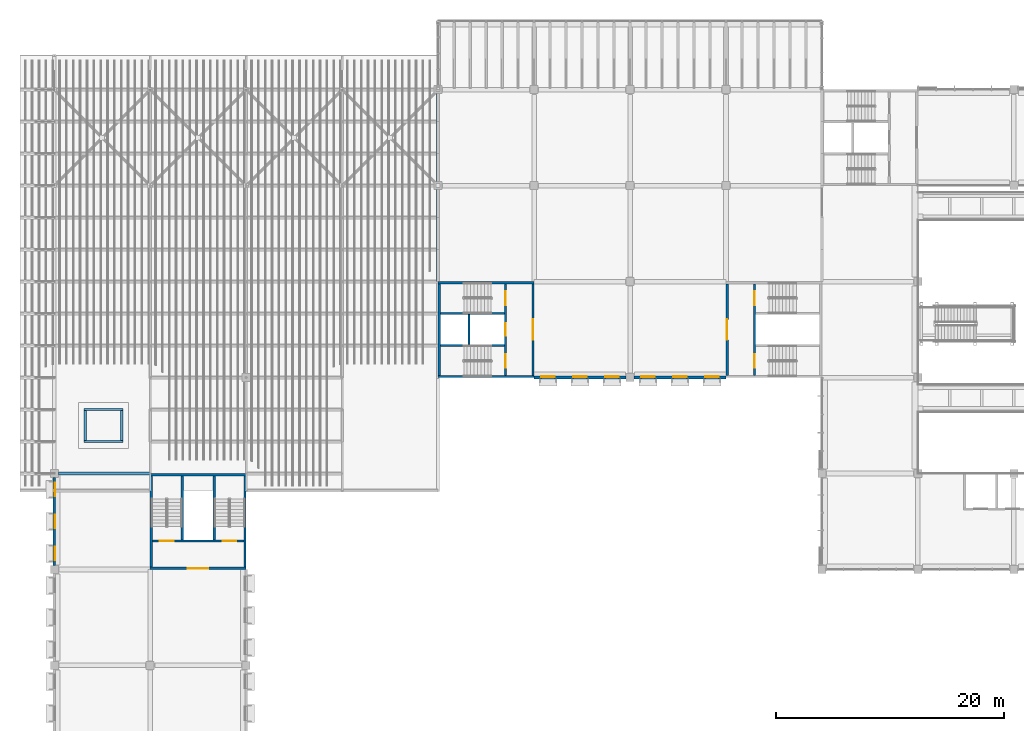
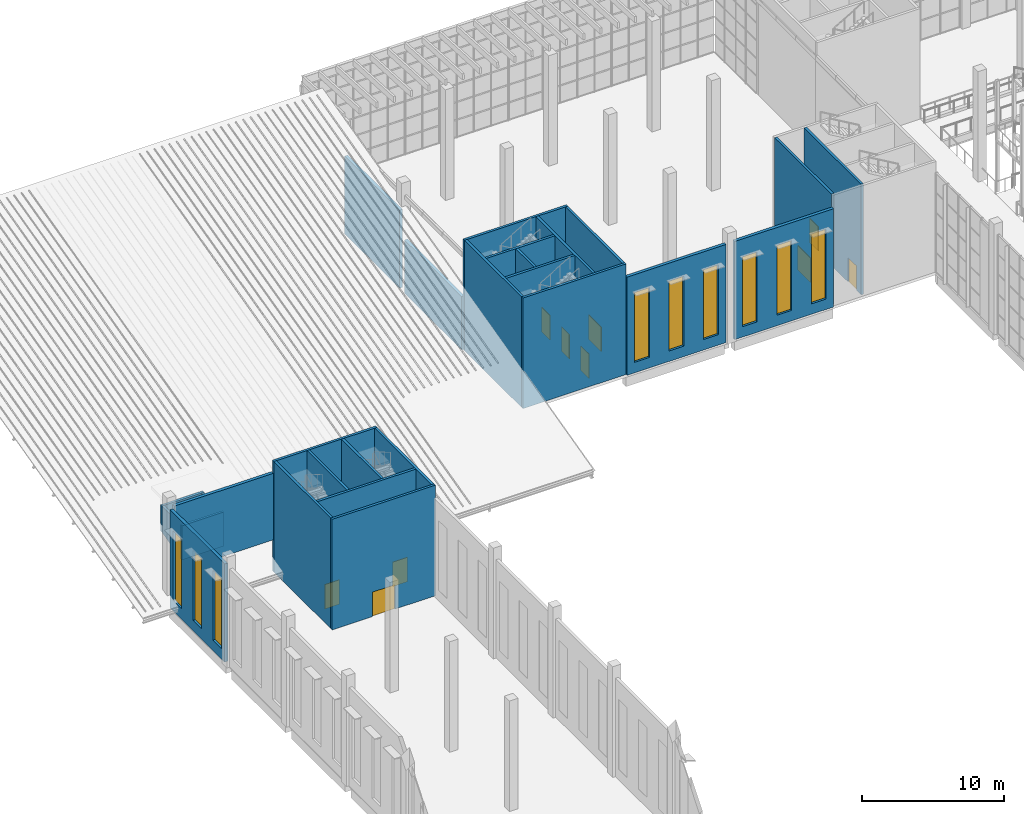
# One storey, part 46 of 114: 27 walls, 10 doors, 9 windows, 19 openings.
"""IFC4 building model written with IfcOpenShell, lengths in metres."""

from ifc_helpers import new_model, si_unit, direction, frame, frame_2d, origin, place, context, subcontext, project, spatial, polyline, rectangle, outline, extrude, material, layer, layer_set, type_object, element, fill, save


model = new_model("IFC4")

# Units and contexts
model_context = context("Model", 3, precision=1e-05, world=origin(), true_north=direction((0.0, 1.0)))
body_context = subcontext(model_context, "Body", "Model", "MODEL_VIEW")
ifc_project = project(units=[si_unit("LENGTHUNIT", "METRE"), si_unit("AREAUNIT", "SQUARE_METRE"), si_unit("VOLUMEUNIT", "CUBIC_METRE"), si_unit("PLANEANGLEUNIT", "RADIAN"), si_unit("MASSUNIT", "GRAM", prefix="KILO")], contexts=[model_context])

# Site, building, storey
site_placement = place(None, origin())
site = spatial("IfcSite", under=ifc_project, at=site_placement, CompositionType="ELEMENT")
building_placement = place(site_placement, origin())
building = spatial("IfcBuilding", under=site, at=building_placement, Name="Almond Square Museum", CompositionType="ELEMENT")
storey_placement = place(building_placement, frame((0.0, 0.0, 10.5)))
storey = spatial("IfcBuildingStorey", under=building, at=storey_placement, Name="L02", CompositionType="ELEMENT", Elevation=10.5)

# Wall
ifc_material_1 = material(Name="Precast concrete C40/50", Category="concrete")
ifc_layer_1 = layer(ifc_material_1, 0.25)
ifc_layer_set_1 = layer_set([ifc_layer_1], Name="Precast concrete C40/50")
wall_type_1 = type_object("IfcWallType", Name="Precast concrete panel wall 250 with coral limestone piers", PredefinedType="SOLIDWALL", material=ifc_layer_set_1)
wall_1_placement = place(storey_placement, frame((6.35009765625, 75.60009765625, 2.72509765625), z_axis=(0.0, 0.0, 1.0), x_axis=(1.0, 0.0, 0.0)))
element("IfcWall", 1, at=wall_1_placement, inside=storey, type_object=wall_type_1, Name="External wall W2 V4W L02 N01", PredefinedType="SOLIDWALL", context=body_context, shape_type="SweptSolid", body=[
    extrude(rectangle(XDim=8.0498046875, YDim=0.25, at=frame_2d((4.02490234375, 0.0))), origin(), (0.0, 0.0, 1.0), 5.71484375),
])

# Wall, openings, windows
wall_2_placement = place(storey_placement, frame((6.0, 67.550048828125, 0.0), z_axis=(0.0, 0.0, 1.0), x_axis=(0.0, 1.0, 0.0)))
wall_2 = element("IfcWall", 2, at=wall_2_placement, inside=storey, type_object=wall_type_1, Name="External wall W2 V4W L02 W01", PredefinedType="SOLIDWALL", context=body_context, shape_type="SweptSolid", body=[
    extrude(rectangle(XDim=7.699951171875, YDim=0.25, at=frame_2d((3.85009765625, 0.0))), origin(), (0.0, 0.0, 1.0), 8.43994140625),
])
opening_1_placement = place(wall_2_placement, frame((0.449951171875, 0.0, 0.89990234375)))
opening_1 = element("IfcOpeningElement", 3, at=opening_1_placement, cuts=wall_2, Name="Opening W2053", PredefinedType="OPENING", context=body_context, shape_type="SweptSolid", body=[
    extrude(rectangle(XDim=1.199951171875, YDim=6.0, at=frame_2d((0.60009765625, 3.0))), frame((0.0, 0.135009765625, 0.0), z_axis=(0.0, -1.0, 0.0), x_axis=(1.0, 0.0, 0.0)), (0.0, 0.0, 1.0), 0.27001953125),
])
opening_2_placement = place(wall_2_placement, frame((3.25, 0.0, 0.89990234375)))
opening_2 = element("IfcOpeningElement", 4, at=opening_2_placement, cuts=wall_2, Name="Opening W2054", PredefinedType="OPENING", context=body_context, shape_type="SweptSolid", body=[
    extrude(rectangle(XDim=1.199951171875, YDim=6.0, at=frame_2d((0.60009765625, 3.0))), frame((0.0, 0.135009765625, 0.0), z_axis=(0.0, -1.0, 0.0), x_axis=(1.0, 0.0, 0.0)), (0.0, 0.0, 1.0), 0.27001953125),
])
opening_3_placement = place(wall_2_placement, frame((6.050048828125, 0.0, 0.89990234375)))
opening_3 = element("IfcOpeningElement", 5, at=opening_3_placement, cuts=wall_2, Name="Opening W2055", PredefinedType="OPENING", context=body_context, shape_type="SweptSolid", body=[
    extrude(rectangle(XDim=1.199951171875, YDim=6.0, at=frame_2d((0.60009765625, 3.0))), frame((0.0, 0.135009765625, 0.0), z_axis=(0.0, -1.0, 0.0), x_axis=(1.0, 0.0, 0.0)), (0.0, 0.0, 1.0), 0.27001953125),
])
ifc_material_2 = material(Name="Anodised aluminium louvre and laminated glass", Category="aluminium")
window_type = type_object("IfcWindowType", Name="Tall louvred pier window", PartitioningType="SINGLE_PANEL", PredefinedType="WINDOW", material=ifc_material_2)
window_1_placement = place(opening_1_placement, origin())
window_1 = element("IfcWindow", 6, at=window_1_placement, inside=storey, type_object=window_type, Name="Tall louvred pier window W2053", OverallHeight=6.0, OverallWidth=1.199951171875, PartitioningType="SINGLE_PANEL", PredefinedType="WINDOW", context=body_context, shape_type="SweptSolid", body=[
    extrude(rectangle(XDim=1.199951171875, YDim=6.0, at=frame_2d((0.60009765625, 3.0))), frame((0.0, -0.044921875, 0.0), z_axis=(0.0, -1.0, 0.0), x_axis=(1.0, 0.0, 0.0)), (0.0, 0.0, 1.0), 0.06005859375),
])
fill(opening_1, window_1)
window_2_placement = place(opening_2_placement, origin())
window_2 = element("IfcWindow", 7, at=window_2_placement, inside=storey, type_object=window_type, Name="Tall louvred pier window W2054", OverallHeight=6.0, OverallWidth=1.199951171875, PartitioningType="SINGLE_PANEL", PredefinedType="WINDOW", context=body_context, shape_type="SweptSolid", body=[
    extrude(rectangle(XDim=1.199951171875, YDim=6.0, at=frame_2d((0.60009765625, 3.0))), frame((0.0, -0.044921875, 0.0), z_axis=(0.0, -1.0, 0.0), x_axis=(1.0, 0.0, 0.0)), (0.0, 0.0, 1.0), 0.06005859375),
])
fill(opening_2, window_2)
window_3_placement = place(opening_3_placement, origin())
window_3 = element("IfcWindow", 8, at=window_3_placement, inside=storey, type_object=window_type, Name="Tall louvred pier window W2055", OverallHeight=6.0, OverallWidth=1.199951171875, PartitioningType="SINGLE_PANEL", PredefinedType="WINDOW", context=body_context, shape_type="SweptSolid", body=[
    extrude(rectangle(XDim=1.199951171875, YDim=6.0, at=frame_2d((0.60009765625, 3.0))), frame((0.0, -0.044921875, 0.0), z_axis=(0.0, -1.0, 0.0), x_axis=(1.0, 0.0, 0.0)), (0.0, 0.0, 1.0), 0.06005859375),
])
fill(opening_3, window_3)

# Walls
wall_3_placement = place(storey_placement, frame((39.60009765625, 101.14990234375, 0.0), z_axis=(0.0, 0.0, 1.0), x_axis=(0.0, 1.0, 0.0)))
element("IfcWall", 9, at=wall_3_placement, inside=storey, type_object=wall_type_1, Name="External wall W2 V4N L02 W02", PredefinedType="SOLIDWALL", context=body_context, shape_type="SweptSolid", body=[
    extrude(rectangle(XDim=7.7001953125, YDim=0.25, at=frame_2d((3.85009765625, 0.0))), origin(), (0.0, 0.0, 1.0), 6.696044921875),
])
wall_4_placement = place(storey_placement, frame((39.60009765625, 92.39990234375, 0.0), z_axis=(0.0, 0.0, 1.0), x_axis=(0.0, 1.0, 0.0)))
element("IfcWall", 10, at=wall_4_placement, inside=storey, type_object=wall_type_1, Name="External wall W2 V4N L02 W03", PredefinedType="SOLIDWALL", context=body_context, shape_type="SweptSolid", body=[
    extrude(rectangle(XDim=8.050048828125, YDim=0.25, at=frame_2d((4.02490234375, 0.0))), origin(), (0.0, 0.0, 1.0), 4.571044921875),
])

# Wall, openings, windows
wall_5_placement = place(storey_placement, frame((48.0, 84.0, 0.0), z_axis=(0.0, 0.0, 1.0), x_axis=(1.0, 0.0, 0.0)))
wall_5 = element("IfcWall", 11, at=wall_5_placement, inside=storey, type_object=wall_type_1, Name="External wall W2 V4N L02 S01", PredefinedType="SOLIDWALL", context=body_context, shape_type="SweptSolid", body=[
    extrude(rectangle(XDim=8.050048828125, YDim=0.25, at=frame_2d((4.02490234375, 0.0))), origin(), (0.0, 0.0, 1.0), 8.43994140625),
])
opening_4_placement = place(wall_5_placement, frame((0.625, 0.0, 0.89990234375)))
opening_4 = element("IfcOpeningElement", 12, at=opening_4_placement, cuts=wall_5, Name="Opening W2109", PredefinedType="OPENING", context=body_context, shape_type="SweptSolid", body=[
    extrude(rectangle(XDim=1.199951171875, YDim=6.0, at=frame_2d((0.60009765625, 3.0))), frame((0.0, 0.135009765625, 0.0), z_axis=(0.0, -1.0, 0.0), x_axis=(1.0, 0.0, 0.0)), (0.0, 0.0, 1.0), 0.27001953125),
])
opening_5_placement = place(wall_5_placement, frame((3.425048828125, 0.0, 0.89990234375)))
opening_5 = element("IfcOpeningElement", 13, at=opening_5_placement, cuts=wall_5, Name="Opening W2110", PredefinedType="OPENING", context=body_context, shape_type="SweptSolid", body=[
    extrude(rectangle(XDim=1.199951171875, YDim=6.0, at=frame_2d((0.60009765625, 3.0))), frame((0.0, 0.135009765625, 0.0), z_axis=(0.0, -1.0, 0.0), x_axis=(1.0, 0.0, 0.0)), (0.0, 0.0, 1.0), 0.27001953125),
])
opening_6_placement = place(wall_5_placement, frame((6.22509765625, 0.0, 0.89990234375)))
opening_6 = element("IfcOpeningElement", 14, at=opening_6_placement, cuts=wall_5, Name="Opening W2111", PredefinedType="OPENING", context=body_context, shape_type="SweptSolid", body=[
    extrude(rectangle(XDim=1.199951171875, YDim=6.0, at=frame_2d((0.60009765625, 3.0))), frame((0.0, 0.135009765625, 0.0), z_axis=(0.0, -1.0, 0.0), x_axis=(1.0, 0.0, 0.0)), (0.0, 0.0, 1.0), 0.27001953125),
])
window_4_placement = place(opening_4_placement, origin())
window_4 = element("IfcWindow", 15, at=window_4_placement, inside=storey, type_object=window_type, Name="Tall louvred pier window W2109", OverallHeight=6.0, OverallWidth=1.199951171875, PartitioningType="SINGLE_PANEL", PredefinedType="WINDOW", context=body_context, shape_type="SweptSolid", body=[
    extrude(rectangle(XDim=1.199951171875, YDim=6.0, at=frame_2d((0.60009765625, 3.0))), frame((0.0, 0.10498046875, 0.0), z_axis=(0.0, -1.0, 0.0), x_axis=(1.0, 0.0, 0.0)), (0.0, 0.0, 1.0), 0.06005859375),
])
fill(opening_4, window_4)
window_5_placement = place(opening_5_placement, origin())
window_5 = element("IfcWindow", 16, at=window_5_placement, inside=storey, type_object=window_type, Name="Tall louvred pier window W2110", OverallHeight=6.0, OverallWidth=1.199951171875, PartitioningType="SINGLE_PANEL", PredefinedType="WINDOW", context=body_context, shape_type="SweptSolid", body=[
    extrude(rectangle(XDim=1.199951171875, YDim=6.0, at=frame_2d((0.60009765625, 3.0))), frame((0.0, 0.10498046875, 0.0), z_axis=(0.0, -1.0, 0.0), x_axis=(1.0, 0.0, 0.0)), (0.0, 0.0, 1.0), 0.06005859375),
])
fill(opening_5, window_5)
window_6_placement = place(opening_6_placement, origin())
window_6 = element("IfcWindow", 17, at=window_6_placement, inside=storey, type_object=window_type, Name="Tall louvred pier window W2111", OverallHeight=6.0, OverallWidth=1.199951171875, PartitioningType="SINGLE_PANEL", PredefinedType="WINDOW", context=body_context, shape_type="SweptSolid", body=[
    extrude(rectangle(XDim=1.199951171875, YDim=6.0, at=frame_2d((0.60009765625, 3.0))), frame((0.0, 0.10498046875, 0.0), z_axis=(0.0, -1.0, 0.0), x_axis=(1.0, 0.0, 0.0)), (0.0, 0.0, 1.0), 0.06005859375),
])
fill(opening_6, window_6)

wall_6_placement = place(storey_placement, frame((56.75, 84.0, 0.0), z_axis=(0.0, 0.0, 1.0), x_axis=(1.0, 0.0, 0.0)))
wall_6 = element("IfcWall", 18, at=wall_6_placement, inside=storey, type_object=wall_type_1, Name="External wall W2 V4N L02 S02", PredefinedType="SOLIDWALL", context=body_context, shape_type="SweptSolid", body=[
    extrude(rectangle(XDim=8.050048828125, YDim=0.25, at=frame_2d((4.02490234375, 0.0))), origin(), (0.0, 0.0, 1.0), 8.43994140625),
])
opening_7_placement = place(wall_6_placement, frame((0.625, 0.0, 0.89990234375)))
opening_7 = element("IfcOpeningElement", 19, at=opening_7_placement, cuts=wall_6, Name="Opening W2112", PredefinedType="OPENING", context=body_context, shape_type="SweptSolid", body=[
    extrude(rectangle(XDim=1.199951171875, YDim=6.0, at=frame_2d((0.60009765625, 3.0))), frame((0.0, 0.135009765625, 0.0), z_axis=(0.0, -1.0, 0.0), x_axis=(1.0, 0.0, 0.0)), (0.0, 0.0, 1.0), 0.27001953125),
])
opening_8_placement = place(wall_6_placement, frame((3.425048828125, 0.0, 0.89990234375)))
opening_8 = element("IfcOpeningElement", 20, at=opening_8_placement, cuts=wall_6, Name="Opening W2113", PredefinedType="OPENING", context=body_context, shape_type="SweptSolid", body=[
    extrude(rectangle(XDim=1.199951171875, YDim=6.0, at=frame_2d((0.60009765625, 3.0))), frame((0.0, 0.135009765625, 0.0), z_axis=(0.0, -1.0, 0.0), x_axis=(1.0, 0.0, 0.0)), (0.0, 0.0, 1.0), 0.27001953125),
])
opening_9_placement = place(wall_6_placement, frame((6.22509765625, 0.0, 0.89990234375)))
opening_9 = element("IfcOpeningElement", 21, at=opening_9_placement, cuts=wall_6, Name="Opening W2114", PredefinedType="OPENING", context=body_context, shape_type="SweptSolid", body=[
    extrude(rectangle(XDim=1.199951171875, YDim=6.0, at=frame_2d((0.60009765625, 3.0))), frame((0.0, 0.135009765625, 0.0), z_axis=(0.0, -1.0, 0.0), x_axis=(1.0, 0.0, 0.0)), (0.0, 0.0, 1.0), 0.27001953125),
])
window_7_placement = place(opening_7_placement, origin())
window_7 = element("IfcWindow", 22, at=window_7_placement, inside=storey, type_object=window_type, Name="Tall louvred pier window W2112", OverallHeight=6.0, OverallWidth=1.199951171875, PartitioningType="SINGLE_PANEL", PredefinedType="WINDOW", context=body_context, shape_type="SweptSolid", body=[
    extrude(rectangle(XDim=1.199951171875, YDim=6.0, at=frame_2d((0.60009765625, 3.0))), frame((0.0, 0.10498046875, 0.0), z_axis=(0.0, -1.0, 0.0), x_axis=(1.0, 0.0, 0.0)), (0.0, 0.0, 1.0), 0.06005859375),
])
fill(opening_7, window_7)
window_8_placement = place(opening_8_placement, origin())
window_8 = element("IfcWindow", 23, at=window_8_placement, inside=storey, type_object=window_type, Name="Tall louvred pier window W2113", OverallHeight=6.0, OverallWidth=1.199951171875, PartitioningType="SINGLE_PANEL", PredefinedType="WINDOW", context=body_context, shape_type="SweptSolid", body=[
    extrude(rectangle(XDim=1.199951171875, YDim=6.0, at=frame_2d((0.60009765625, 3.0))), frame((0.0, 0.10498046875, 0.0), z_axis=(0.0, -1.0, 0.0), x_axis=(1.0, 0.0, 0.0)), (0.0, 0.0, 1.0), 0.06005859375),
])
fill(opening_8, window_8)
window_9_placement = place(opening_9_placement, origin())
window_9 = element("IfcWindow", 24, at=window_9_placement, inside=storey, type_object=window_type, Name="Tall louvred pier window W2114", OverallHeight=6.0, OverallWidth=1.199951171875, PartitioningType="SINGLE_PANEL", PredefinedType="WINDOW", context=body_context, shape_type="SweptSolid", body=[
    extrude(rectangle(XDim=1.199951171875, YDim=6.0, at=frame_2d((0.60009765625, 3.0))), frame((0.0, 0.10498046875, 0.0), z_axis=(0.0, -1.0, 0.0), x_axis=(1.0, 0.0, 0.0)), (0.0, 0.0, 1.0), 0.06005859375),
])
fill(opening_9, window_9)

# Walls
ifc_material_3 = material(Name="Concrete C40/50", Category="concrete")
ifc_layer_2 = layer(ifc_material_3, 0.199951171875)
ifc_layer_set_2 = layer_set([ifc_layer_2], Name="Concrete C40/50")
wall_type_2 = type_object("IfcWallType", Name="RC lift machine room wall 200 C40/50", PredefinedType="SOLIDWALL", material=ifc_layer_set_2)
wall_7_placement = place(storey_placement, frame((8.60009765625, 78.39990234375, 1.3076171875), z_axis=(0.0, 0.0, 1.0), x_axis=(1.0, 0.0, 0.0)))
element("IfcWall", 25, at=wall_7_placement, inside=storey, type_object=wall_type_2, Name="Lift machine room U1 south wall", PredefinedType="SOLIDWALL", context=body_context, shape_type="SweptSolid", body=[
    extrude(rectangle(XDim=3.39990234375, YDim=0.199951171875, at=frame_2d((1.699951171875, 0.0))), origin(), (0.0, 0.0, 1.0), 2.934814453125),
])
wall_8_placement = place(storey_placement, frame((8.60009765625, 81.199951171875, 2.017578125), z_axis=(0.0, 0.0, 1.0), x_axis=(1.0, 0.0, 0.0)))
element("IfcWall", 26, at=wall_8_placement, inside=storey, type_object=wall_type_2, Name="Lift machine room U1 north wall", PredefinedType="SOLIDWALL", context=body_context, shape_type="SweptSolid", body=[
    extrude(rectangle(XDim=3.39990234375, YDim=0.199951171875, at=frame_2d((1.699951171875, 0.0))), origin(), (0.0, 0.0, 1.0), 2.224853515625),
])
for number, where, z_axis, x_axis, name in (
    (27, (8.699951171875, 78.5, 1.33251953125), (0.0, 0.0, 1.0), (0.0, 1.0, 0.0), "Lift machine room U1 west wall"),
    (28, (11.89990234375, 78.5, 1.33251953125), (0.0, 0.0, 1.0), (0.0, 1.0, 0.0), "Lift machine room U1 east wall"),
):
    element("IfcWall", number, at=place(storey_placement, frame(where, z_axis=z_axis, x_axis=x_axis)), inside=storey, type_object=wall_type_2, Name=name, PredefinedType="SOLIDWALL", context=body_context, shape_type="SweptSolid", body=[
        extrude(outline(polyline([(0.0, 0.0009765625), (2.60009765625, 0.658935546875), (2.60009765625, 2.909912109375), (0.0, 2.909912109375), (0.0, 0.0009765625)])), frame((0.0, 0.10009765625, 0.0), z_axis=(0.0, -1.0, 0.0), x_axis=(1.0, 0.0, 0.0)), (0.0, 0.0, 1.0), 0.199951171875),
    ])
ifc_material_4 = material(Name="Concrete C40/50", Category="concrete")
ifc_layer_3 = layer(ifc_material_4, 0.199951171875)
ifc_layer_set_3 = layer_set([ifc_layer_3], Name="Concrete C40/50")
wall_type_3 = type_object("IfcWallType", Name="RC shear wall 200 C40/50", PredefinedType="SHEAR", material=ifc_layer_set_3)
for number, where, z_axis, x_axis, name in (
    (29, (39.60009765625, 84.10009765625, 0.0), (0.0, 0.0, 1.0), (1.0, 0.0, 0.0), "Core N1 south wall L02"),
    (30, (39.60009765625, 92.300048828125, 0.0), (0.0, 0.0, 1.0), (1.0, 0.0, 0.0), "Core N1 north wall L02"),
):
    element("IfcWall", number, at=place(storey_placement, frame(where, z_axis=z_axis, x_axis=x_axis)), inside=storey, type_object=wall_type_3, Name=name, PredefinedType="SHEAR", context=body_context, shape_type="SweptSolid", body=[
        extrude(rectangle(XDim=8.39990234375, YDim=0.199951171875, at=frame_2d((4.199951171875, 0.0))), origin(), (0.0, 0.0, 1.0), 9.5),
    ])
wall_9_placement = place(storey_placement, frame((39.699951171875, 84.199951171875, 0.0), z_axis=(0.0, 0.0, 1.0), x_axis=(0.0, 1.0, 0.0)))
element("IfcWall", 31, at=wall_9_placement, inside=storey, type_object=wall_type_3, Name="Core N1 west wall L02", PredefinedType="SHEAR", context=body_context, shape_type="SweptSolid", body=[
    extrude(rectangle(XDim=8.0, YDim=0.199951171875, at=frame_2d((4.0, 0.0))), origin(), (0.0, 0.0, 1.0), 9.5),
])

# Wall, opening, door
wall_10_placement = place(storey_placement, frame((47.89990234375, 84.199951171875, 0.0), z_axis=(0.0, 0.0, 1.0), x_axis=(0.0, 1.0, 0.0)))
wall_10 = element("IfcWall", 32, at=wall_10_placement, inside=storey, type_object=wall_type_3, Name="Core N1 east wall L02", PredefinedType="SHEAR", context=body_context, shape_type="SweptSolid", body=[
    extrude(rectangle(XDim=8.0, YDim=0.199951171875, at=frame_2d((4.0, 0.0))), origin(), (0.0, 0.0, 1.0), 9.5),
])
opening_10_placement = place(wall_10_placement, frame((3.10009765625, 0.0, 0.0)))
opening_10 = element("IfcOpeningElement", 33, at=opening_10_placement, cuts=wall_10, Name="Opening D2148", PredefinedType="OPENING", context=body_context, shape_type="SweptSolid", body=[
    extrude(rectangle(XDim=1.800048828125, YDim=2.10009765625, at=frame_2d((0.89990234375, 1.050048828125))), frame((0.0, 0.10986328125, 0.0), z_axis=(0.0, -1.0, 0.0), x_axis=(1.0, 0.0, 0.0)), (0.0, 0.0, 1.0), 0.219970703125),
])
ifc_material_5 = material(Name="Steel", Category="steel")
door_type_1 = type_object("IfcDoorType", Name="Fire door 1800 x 2100 FD60 double", OperationType="NOTDEFINED", PredefinedType="DOOR", material=ifc_material_5)
door_1_placement = place(opening_10_placement, origin())
door_1 = element("IfcDoor", 34, at=door_1_placement, inside=storey, type_object=door_type_1, Name="L02 stair core N1 lobby door", OperationType="DOUBLE_DOOR_SINGLE_SWING", OverallHeight=2.10009765625, OverallWidth=1.800048828125, PredefinedType="DOOR", context=body_context, shape_type="SweptSolid", body=[
    extrude(rectangle(XDim=1.800048828125, YDim=2.10009765625, at=frame_2d((0.89990234375, 1.050048828125))), frame((0.0, 0.02490234375, 0.0), z_axis=(0.0, -1.0, 0.0), x_axis=(1.0, 0.0, 0.0)), (0.0, 0.0, 1.0), 0.050048828125),
])
fill(opening_10, door_1)

# Wall, openings, doors
wall_11_placement = place(storey_placement, frame((45.5, 84.199951171875, 0.0), z_axis=(0.0, 0.0, 1.0), x_axis=(0.0, 1.0, 0.0)))
wall_11 = element("IfcWall", 35, at=wall_11_placement, inside=storey, type_object=wall_type_3, Name="Core N1 lobby wall L02", PredefinedType="SHEAR", context=body_context, shape_type="SweptSolid", body=[
    extrude(rectangle(XDim=8.0, YDim=0.199951171875, at=frame_2d((4.0, 0.0))), origin(), (0.0, 0.0, 1.0), 9.5),
])
opening_11_placement = place(wall_11_placement, frame((0.64990234375, 0.0, 0.0)))
opening_11 = element("IfcOpeningElement", 36, at=opening_11_placement, cuts=wall_11, Name="Opening D2149", PredefinedType="OPENING", context=body_context, shape_type="SweptSolid", body=[
    extrude(rectangle(XDim=1.199951171875, YDim=2.10009765625, at=frame_2d((0.60009765625, 1.050048828125))), frame((0.0, 0.10986328125, 0.0), z_axis=(0.0, -1.0, 0.0), x_axis=(1.0, 0.0, 0.0)), (0.0, 0.0, 1.0), 0.219970703125),
])
opening_12_placement = place(wall_11_placement, frame((6.14990234375, 0.0, 0.0)))
opening_12 = element("IfcOpeningElement", 37, at=opening_12_placement, cuts=wall_11, Name="Opening D2150", PredefinedType="OPENING", context=body_context, shape_type="SweptSolid", body=[
    extrude(rectangle(XDim=1.199951171875, YDim=2.10009765625, at=frame_2d((0.60009765625, 1.050048828125))), frame((0.0, 0.10986328125, 0.0), z_axis=(0.0, -1.0, 0.0), x_axis=(1.0, 0.0, 0.0)), (0.0, 0.0, 1.0), 0.219970703125),
])
opening_13_placement = place(wall_11_placement, frame((3.449951171875, 0.0, 0.0)))
opening_13 = element("IfcOpeningElement", 38, at=opening_13_placement, cuts=wall_11, Name="Opening D2151", PredefinedType="OPENING", context=body_context, shape_type="SweptSolid", body=[
    extrude(rectangle(XDim=1.10009765625, YDim=2.10009765625, at=frame_2d((0.550048828125, 1.050048828125))), frame((0.0, 0.10986328125, 0.0), z_axis=(0.0, -1.0, 0.0), x_axis=(1.0, 0.0, 0.0)), (0.0, 0.0, 1.0), 0.219970703125),
])
ifc_material_6 = material(Name="Steel", Category="steel")
door_type_2 = type_object("IfcDoorType", Name="Fire door 1200 x 2100 FD120 stair", OperationType="NOTDEFINED", PredefinedType="DOOR", material=ifc_material_6)
door_2_placement = place(opening_11_placement, origin())
door_2 = element("IfcDoor", 39, at=door_2_placement, inside=storey, type_object=door_type_2, Name="L02 stair N1-1 door", OperationType="SINGLE_SWING_LEFT", OverallHeight=2.10009765625, OverallWidth=1.199951171875, PredefinedType="DOOR", context=body_context, shape_type="SweptSolid", body=[
    extrude(rectangle(XDim=1.199951171875, YDim=2.10009765625, at=frame_2d((0.60009765625, 1.050048828125))), frame((0.0, 0.02490234375, 0.0), z_axis=(0.0, -1.0, 0.0), x_axis=(1.0, 0.0, 0.0)), (0.0, 0.0, 1.0), 0.050048828125),
])
fill(opening_11, door_2)
door_3_placement = place(opening_12_placement, origin())
door_3 = element("IfcDoor", 40, at=door_3_placement, inside=storey, type_object=door_type_2, Name="L02 stair N1-2 door", OperationType="SINGLE_SWING_RIGHT", OverallHeight=2.10009765625, OverallWidth=1.199951171875, PredefinedType="DOOR", context=body_context, shape_type="SweptSolid", body=[
    extrude(rectangle(XDim=1.199951171875, YDim=2.10009765625, at=frame_2d((0.60009765625, 1.050048828125))), frame((0.0, 0.02490234375, 0.0), z_axis=(0.0, -1.0, 0.0), x_axis=(1.0, 0.0, 0.0)), (0.0, 0.0, 1.0), 0.050048828125),
])
fill(opening_12, door_3)
ifc_material_7 = material(Name="Stainless steel", Category="steel")
door_type_3 = type_object("IfcDoorType", Name="Lift landing door 1100 x 2100", OperationType="NOTDEFINED", PredefinedType="DOOR", material=ifc_material_7)
door_4_placement = place(opening_13_placement, origin())
door_4 = element("IfcDoor", 41, at=door_4_placement, inside=storey, type_object=door_type_3, Name="L02 lift PL-N1 landing door", OperationType="DOUBLE_DOOR_SLIDING", OverallHeight=2.10009765625, OverallWidth=1.10009765625, PredefinedType="DOOR", context=body_context, shape_type="SweptSolid", body=[
    extrude(rectangle(XDim=1.10009765625, YDim=2.10009765625, at=frame_2d((0.550048828125, 1.050048828125))), frame((0.0, 0.02490234375, 0.0), z_axis=(0.0, -1.0, 0.0), x_axis=(1.0, 0.0, 0.0)), (0.0, 0.0, 1.0), 0.050048828125),
])
fill(opening_13, door_4)

# Walls
for number, where, z_axis, x_axis, name in (
    (42, (39.800048828125, 86.800048828125, 0.0), (0.0, 0.0, 1.0), (1.0, 0.0, 0.0), "Core N1 partition wall L02"),
    (43, (39.800048828125, 89.60009765625, 0.0), (0.0, 0.0, 1.0), (1.0, 0.0, 0.0), "Core N1 partition wall L02"),
):
    element("IfcWall", number, at=place(storey_placement, frame(where, z_axis=z_axis, x_axis=x_axis)), inside=storey, type_object=wall_type_3, Name=name, PredefinedType="SHEAR", context=body_context, shape_type="SweptSolid", body=[
        extrude(rectangle(XDim=5.599853515625, YDim=0.199951171875, at=frame_2d((2.7998046875, 0.0))), origin(), (0.0, 0.0, 1.0), 9.5),
    ])
wall_12_placement = place(storey_placement, frame((42.300048828125, 86.89990234375, 0.0), z_axis=(0.0, 0.0, 1.0), x_axis=(0.0, 1.0, 0.0)))
element("IfcWall", 44, at=wall_12_placement, inside=storey, type_object=wall_type_3, Name="Core N1 partition wall L02", PredefinedType="SHEAR", context=body_context, shape_type="SweptSolid", body=[
    extrude(rectangle(XDim=2.60009765625, YDim=0.199951171875, at=frame_2d((1.300048828125, 0.0))), origin(), (0.0, 0.0, 1.0), 9.5),
])

# Wall, opening, door
wall_13_placement = place(storey_placement, frame((64.89990234375, 84.199951171875, 0.0), z_axis=(0.0, 0.0, 1.0), x_axis=(0.0, 1.0, 0.0)))
wall_13 = element("IfcWall", 45, at=wall_13_placement, inside=storey, type_object=wall_type_3, Name="Core N2 west wall L02", PredefinedType="SHEAR", context=body_context, shape_type="SweptSolid", body=[
    extrude(rectangle(XDim=8.0, YDim=0.199951171875, at=frame_2d((4.0, 0.0))), origin(), (0.0, 0.0, 1.0), 9.5),
])
opening_14_placement = place(wall_13_placement, frame((3.10009765625, 0.0, 0.0)))
opening_14 = element("IfcOpeningElement", 46, at=opening_14_placement, cuts=wall_13, Name="Opening D2152", PredefinedType="OPENING", context=body_context, shape_type="SweptSolid", body=[
    extrude(rectangle(XDim=1.800048828125, YDim=2.10009765625, at=frame_2d((0.89990234375, 1.050048828125))), frame((0.0, 0.10986328125, 0.0), z_axis=(0.0, -1.0, 0.0), x_axis=(1.0, 0.0, 0.0)), (0.0, 0.0, 1.0), 0.219970703125),
])
door_5_placement = place(opening_14_placement, origin())
door_5 = element("IfcDoor", 47, at=door_5_placement, inside=storey, type_object=door_type_1, Name="L02 stair core N2 lobby door", OperationType="DOUBLE_DOOR_SINGLE_SWING", OverallHeight=2.10009765625, OverallWidth=1.800048828125, PredefinedType="DOOR", context=body_context, shape_type="SweptSolid", body=[
    extrude(rectangle(XDim=1.800048828125, YDim=2.10009765625, at=frame_2d((0.89990234375, 1.050048828125))), frame((0.0, 0.02490234375, 0.0), z_axis=(0.0, -1.0, 0.0), x_axis=(1.0, 0.0, 0.0)), (0.0, 0.0, 1.0), 0.050048828125),
])
fill(opening_14, door_5)

# Wall, openings, doors
wall_14_placement = place(storey_placement, frame((67.300048828125, 84.199951171875, 0.0), z_axis=(0.0, 0.0, 1.0), x_axis=(0.0, 1.0, 0.0)))
wall_14 = element("IfcWall", 48, at=wall_14_placement, inside=storey, type_object=wall_type_3, Name="Core N2 lobby wall L02", PredefinedType="SHEAR", context=body_context, shape_type="SweptSolid", body=[
    extrude(rectangle(XDim=8.0, YDim=0.199951171875, at=frame_2d((4.0, 0.0))), origin(), (0.0, 0.0, 1.0), 9.5),
])
opening_15_placement = place(wall_14_placement, frame((0.64990234375, 0.0, 0.0)))
opening_15 = element("IfcOpeningElement", 49, at=opening_15_placement, cuts=wall_14, Name="Opening D2153", PredefinedType="OPENING", context=body_context, shape_type="SweptSolid", body=[
    extrude(rectangle(XDim=1.199951171875, YDim=2.10009765625, at=frame_2d((0.60009765625, 1.050048828125))), frame((0.0, 0.10986328125, 0.0), z_axis=(0.0, -1.0, 0.0), x_axis=(1.0, 0.0, 0.0)), (0.0, 0.0, 1.0), 0.219970703125),
])
opening_16_placement = place(wall_14_placement, frame((6.14990234375, 0.0, 0.0)))
opening_16 = element("IfcOpeningElement", 50, at=opening_16_placement, cuts=wall_14, Name="Opening D2154", PredefinedType="OPENING", context=body_context, shape_type="SweptSolid", body=[
    extrude(rectangle(XDim=1.199951171875, YDim=2.10009765625, at=frame_2d((0.60009765625, 1.050048828125))), frame((0.0, 0.10986328125, 0.0), z_axis=(0.0, -1.0, 0.0), x_axis=(1.0, 0.0, 0.0)), (0.0, 0.0, 1.0), 0.219970703125),
])
door_6_placement = place(opening_15_placement, origin())
door_6 = element("IfcDoor", 51, at=door_6_placement, inside=storey, type_object=door_type_2, Name="L02 stair N2-1 door", OperationType="SINGLE_SWING_LEFT", OverallHeight=2.10009765625, OverallWidth=1.199951171875, PredefinedType="DOOR", context=body_context, shape_type="SweptSolid", body=[
    extrude(rectangle(XDim=1.199951171875, YDim=2.10009765625, at=frame_2d((0.60009765625, 1.050048828125))), frame((0.0, 0.02490234375, 0.0), z_axis=(0.0, -1.0, 0.0), x_axis=(1.0, 0.0, 0.0)), (0.0, 0.0, 1.0), 0.050048828125),
])
fill(opening_15, door_6)
door_7_placement = place(opening_16_placement, origin())
door_7 = element("IfcDoor", 52, at=door_7_placement, inside=storey, type_object=door_type_2, Name="L02 stair N2-2 door", OperationType="SINGLE_SWING_RIGHT", OverallHeight=2.10009765625, OverallWidth=1.199951171875, PredefinedType="DOOR", context=body_context, shape_type="SweptSolid", body=[
    extrude(rectangle(XDim=1.199951171875, YDim=2.10009765625, at=frame_2d((0.60009765625, 1.050048828125))), frame((0.0, 0.02490234375, 0.0), z_axis=(0.0, -1.0, 0.0), x_axis=(1.0, 0.0, 0.0)), (0.0, 0.0, 1.0), 0.050048828125),
])
fill(opening_16, door_7)

# Wall, opening, door
wall_15_placement = place(storey_placement, frame((14.39990234375, 67.300048828125, 0.0), z_axis=(0.0, 0.0, 1.0), x_axis=(1.0, 0.0, 0.0)))
wall_15 = element("IfcWall", 53, at=wall_15_placement, inside=storey, type_object=wall_type_3, Name="Core W2 south wall L02", PredefinedType="SHEAR", context=body_context, shape_type="SweptSolid", body=[
    extrude(rectangle(XDim=8.400146484375, YDim=0.199951171875, at=frame_2d((4.2001953125, 0.0))), origin(), (0.0, 0.0, 1.0), 9.5),
])
opening_17_placement = place(wall_15_placement, frame((3.300048828125, 0.0, 0.0)))
opening_17 = element("IfcOpeningElement", 54, at=opening_17_placement, cuts=wall_15, Name="Opening D2159", PredefinedType="OPENING", context=body_context, shape_type="SweptSolid", body=[
    extrude(rectangle(XDim=1.800048828125, YDim=2.10009765625, at=frame_2d((0.89990234375, 1.050048828125))), frame((0.0, 0.10986328125, 0.0), z_axis=(0.0, -1.0, 0.0), x_axis=(1.0, 0.0, 0.0)), (0.0, 0.0, 1.0), 0.219970703125),
])
door_8_placement = place(opening_17_placement, origin())
door_8 = element("IfcDoor", 55, at=door_8_placement, inside=storey, type_object=door_type_1, Name="L02 stair core W2 lobby door", OperationType="DOUBLE_DOOR_SINGLE_SWING", OverallHeight=2.10009765625, OverallWidth=1.800048828125, PredefinedType="DOOR", context=body_context, shape_type="SweptSolid", body=[
    extrude(rectangle(XDim=1.800048828125, YDim=2.10009765625, at=frame_2d((0.89990234375, 1.050048828125))), frame((0.0, 0.02490234375, 0.0), z_axis=(0.0, -1.0, 0.0), x_axis=(1.0, 0.0, 0.0)), (0.0, 0.0, 1.0), 0.050048828125),
])
fill(opening_17, door_8)

# Walls
wall_16_placement = place(storey_placement, frame((14.39990234375, 75.5, 0.0), z_axis=(0.0, 0.0, 1.0), x_axis=(1.0, 0.0, 0.0)))
element("IfcWall", 56, at=wall_16_placement, inside=storey, type_object=wall_type_3, Name="Core W2 north wall L02", PredefinedType="SHEAR", context=body_context, shape_type="SweptSolid", body=[
    extrude(rectangle(XDim=8.400146484375, YDim=0.199951171875, at=frame_2d((4.2001953125, 0.0))), origin(), (0.0, 0.0, 1.0), 9.5),
])
for number, where, z_axis, x_axis, name in (
    (57, (14.5, 67.39990234375, 0.0), (0.0, 0.0, 1.0), (0.0, 1.0, 0.0), "Core W2 west wall L02"),
    (58, (22.699951171875, 67.39990234375, 0.0), (0.0, 0.0, 1.0), (0.0, 1.0, 0.0), "Core W2 east wall L02"),
):
    element("IfcWall", number, at=place(storey_placement, frame(where, z_axis=z_axis, x_axis=x_axis)), inside=storey, type_object=wall_type_3, Name=name, PredefinedType="SHEAR", context=body_context, shape_type="SweptSolid", body=[
        extrude(rectangle(XDim=8.0, YDim=0.199951171875, at=frame_2d((4.0, 0.0))), origin(), (0.0, 0.0, 1.0), 9.5),
    ])

# Wall, openings, doors
wall_17_placement = place(storey_placement, frame((14.60009765625, 69.699951171875, 0.0), z_axis=(0.0, 0.0, 1.0), x_axis=(1.0, 0.0, 0.0)))
wall_17 = element("IfcWall", 59, at=wall_17_placement, inside=storey, type_object=wall_type_3, Name="Core W2 lobby wall L02", PredefinedType="SHEAR", context=body_context, shape_type="SweptSolid", body=[
    extrude(rectangle(XDim=8.0, YDim=0.199951171875, at=frame_2d((4.0, 0.0))), origin(), (0.0, 0.0, 1.0), 9.5),
])
opening_18_placement = place(wall_17_placement, frame((0.64990234375, 0.0, 0.0)))
opening_18 = element("IfcOpeningElement", 60, at=opening_18_placement, cuts=wall_17, Name="Opening D2160", PredefinedType="OPENING", context=body_context, shape_type="SweptSolid", body=[
    extrude(rectangle(XDim=1.199951171875, YDim=2.10009765625, at=frame_2d((0.60009765625, 1.050048828125))), frame((0.0, 0.10986328125, 0.0), z_axis=(0.0, -1.0, 0.0), x_axis=(1.0, 0.0, 0.0)), (0.0, 0.0, 1.0), 0.219970703125),
])
opening_19_placement = place(wall_17_placement, frame((6.14990234375, 0.0, 0.0)))
opening_19 = element("IfcOpeningElement", 61, at=opening_19_placement, cuts=wall_17, Name="Opening D2161", PredefinedType="OPENING", context=body_context, shape_type="SweptSolid", body=[
    extrude(rectangle(XDim=1.199951171875, YDim=2.10009765625, at=frame_2d((0.60009765625, 1.050048828125))), frame((0.0, 0.10986328125, 0.0), z_axis=(0.0, -1.0, 0.0), x_axis=(1.0, 0.0, 0.0)), (0.0, 0.0, 1.0), 0.219970703125),
])
door_9_placement = place(opening_18_placement, origin())
door_9 = element("IfcDoor", 62, at=door_9_placement, inside=storey, type_object=door_type_2, Name="L02 stair W2-1 door", OperationType="SINGLE_SWING_LEFT", OverallHeight=2.10009765625, OverallWidth=1.199951171875, PredefinedType="DOOR", context=body_context, shape_type="SweptSolid", body=[
    extrude(rectangle(XDim=1.199951171875, YDim=2.10009765625, at=frame_2d((0.60009765625, 1.050048828125))), frame((0.0, 0.02490234375, 0.0), z_axis=(0.0, -1.0, 0.0), x_axis=(1.0, 0.0, 0.0)), (0.0, 0.0, 1.0), 0.050048828125),
])
fill(opening_18, door_9)
door_10_placement = place(opening_19_placement, origin())
door_10 = element("IfcDoor", 63, at=door_10_placement, inside=storey, type_object=door_type_2, Name="L02 stair W2-2 door", OperationType="SINGLE_SWING_RIGHT", OverallHeight=2.10009765625, OverallWidth=1.199951171875, PredefinedType="DOOR", context=body_context, shape_type="SweptSolid", body=[
    extrude(rectangle(XDim=1.199951171875, YDim=2.10009765625, at=frame_2d((0.60009765625, 1.050048828125))), frame((0.0, 0.02490234375, 0.0), z_axis=(0.0, -1.0, 0.0), x_axis=(1.0, 0.0, 0.0)), (0.0, 0.0, 1.0), 0.050048828125),
])
fill(opening_19, door_10)

# Walls
for number, where, z_axis, x_axis, name in (
    (64, (17.199951171875, 69.800048828125, 0.0), (0.0, 0.0, 1.0), (0.0, 1.0, 0.0), "Core W2 partition wall L02"),
    (65, (20.0, 69.800048828125, 0.0), (0.0, 0.0, 1.0), (0.0, 1.0, 0.0), "Core W2 partition wall L02"),
):
    element("IfcWall", number, at=place(storey_placement, frame(where, z_axis=z_axis, x_axis=x_axis)), inside=storey, type_object=wall_type_3, Name=name, PredefinedType="SHEAR", context=body_context, shape_type="SweptSolid", body=[
        extrude(rectangle(XDim=5.599853515625, YDim=0.199951171875, at=frame_2d((2.7998046875, 0.0))), origin(), (0.0, 0.0, 1.0), 9.5),
    ])

save(model, "model.ifc")
